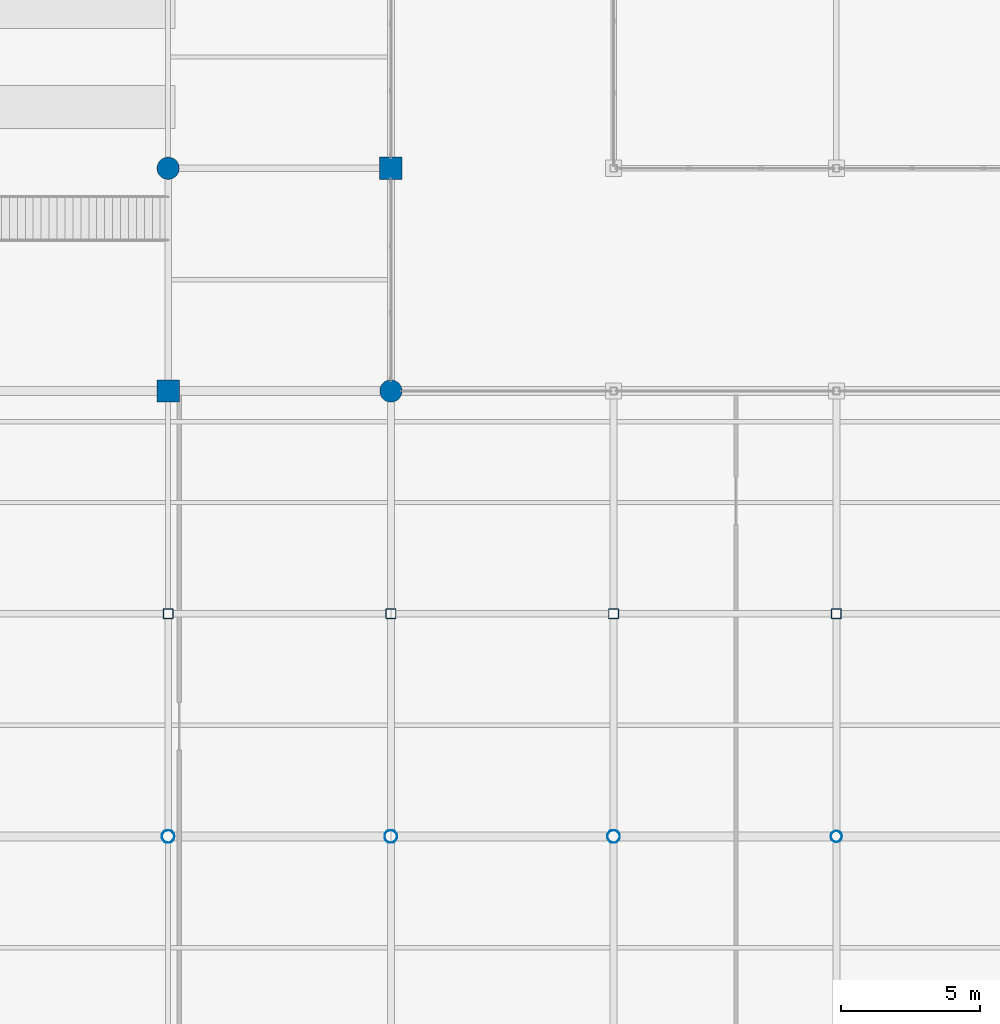
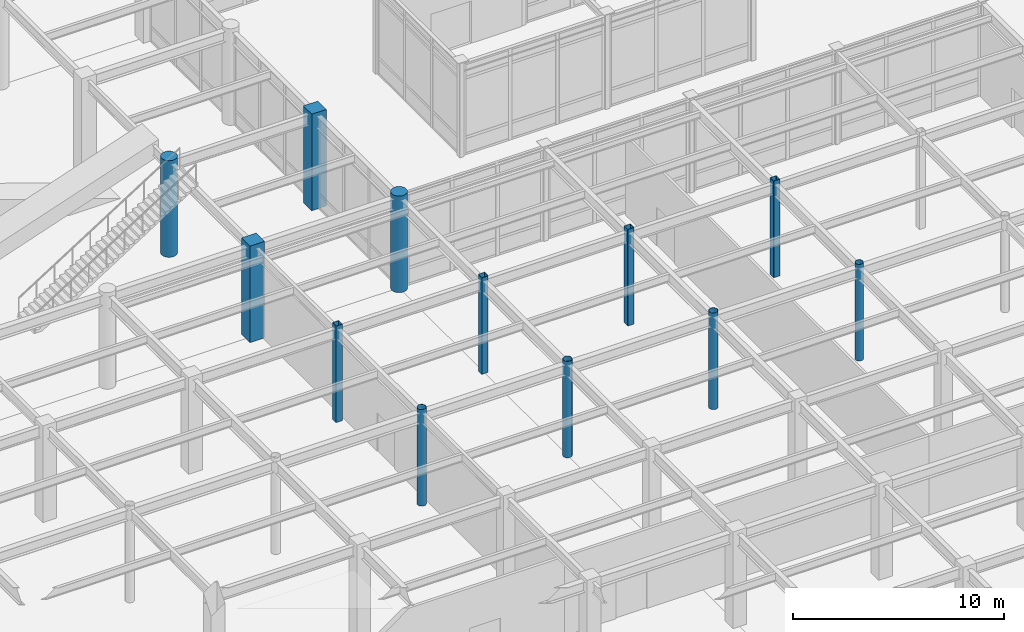
# One storey, part 11 of 128: 12 columns.
"""IFC4 building model written with IfcOpenShell, lengths in metres."""

from ifc_helpers import new_model, si_unit, direction, frame, origin, origin_2d, place, context, subcontext, project, spatial, rectangle, hollow_rectangle, circle, hollow_circle, extrude, material, material_profile, profile_set, type_object, element, save


model = new_model("IFC4")

# Units and contexts
model_context = context("Model", 3, precision=1e-05, world=origin(), true_north=direction((0.0, 1.0)))
body_context = subcontext(model_context, "Body", "Model", "MODEL_VIEW")
ifc_project = project(units=[si_unit("LENGTHUNIT", "METRE"), si_unit("AREAUNIT", "SQUARE_METRE"), si_unit("VOLUMEUNIT", "CUBIC_METRE"), si_unit("PLANEANGLEUNIT", "RADIAN"), si_unit("MASSUNIT", "GRAM", prefix="KILO")], contexts=[model_context])

# Site, building, storey
site_placement = place(None, origin())
site = spatial("IfcSite", under=ifc_project, at=site_placement, CompositionType="ELEMENT")
building_placement = place(site_placement, origin())
building = spatial("IfcBuilding", under=site, at=building_placement, Name="Solmirada Galleria", CompositionType="ELEMENT")
storey_placement = place(building_placement, origin())
storey = spatial("IfcBuildingStorey", under=building, at=storey_placement, Name="L00", CompositionType="ELEMENT", Elevation=0.0)

# Columns
ifc_material_1 = material(Name="Steel S355 / ASTM A500 Grade C", Category="steel")
ifc_material_profile_1 = material_profile(ifc_material_1, hollow_circle(Radius=0.202880859375, WallThickness=0.01171875, at=origin_2d()), Name="HSS16.000X0.500")
ifc_profile_set_1 = profile_set([ifc_material_profile_1], Name="Steel S355 / ASTM A500 Grade C")
column_type_1 = type_object("IfcColumnType", Name="COL-CHS16", PredefinedType="COLUMN", material=ifc_profile_set_1)
column_placement = place(storey_placement, frame((128.0, 32.0, 0.0), z_axis=(0.0, 0.0, 1.0), x_axis=(1.0, 0.0, 0.0)))
element("IfcColumn", 1, at=column_placement, inside=storey, type_object=column_type_1, Name="Structural column L00-1035", PredefinedType="COLUMN", context=body_context, shape_type="SweptSolid", body=[
    extrude(hollow_circle(Radius=0.202880859375, WallThickness=0.01171875, at=origin_2d()), origin(), (0.0, 0.0, 1.0), 5.60009765625),
])
ifc_material_profile_2 = material_profile(ifc_material_1, hollow_circle(Radius=0.228515625, WallThickness=0.01171875, at=origin_2d()), Name="HSS18.000X0.500")
ifc_profile_set_2 = profile_set([ifc_material_profile_2], Name="Steel S355 / ASTM A500 Grade C")
column_type_2 = type_object("IfcColumnType", Name="COL-CHS18", PredefinedType="COLUMN", material=ifc_profile_set_2)
for number, where, z_axis, x_axis, name in (
    (2, (104.0, 32.0, 0.0), (0.0, 0.0, 1.0), (1.0, 0.0, 0.0), "Structural column L00-0724"),
    (3, (112.0, 32.0, 0.0), (0.0, 0.0, 1.0), (1.0, 0.0, 0.0), "Structural column L00-0835"),
    (4, (120.0, 32.0, 0.0), (0.0, 0.0, 1.0), (1.0, 0.0, 0.0), "Structural column L00-0952"),
):
    element("IfcColumn", number, at=place(storey_placement, frame(where, z_axis=z_axis, x_axis=x_axis)), inside=storey, type_object=column_type_2, Name=name, PredefinedType="COLUMN", context=body_context, shape_type="SweptSolid", body=[
        extrude(hollow_circle(Radius=0.228515625, WallThickness=0.01171875, at=origin_2d()), origin(), (0.0, 0.0, 1.0), 5.60009765625),
    ])
ifc_material_2 = material(Name="Concrete C40/50", Category="concrete")
ifc_material_profile_3 = material_profile(ifc_material_2, circle(Radius=0.39990234375, at=origin_2d()), Name="RCCOL800")
ifc_profile_set_3 = profile_set([ifc_material_profile_3], Name="Concrete C40/50")
column_type_3 = type_object("IfcColumnType", Name="COL-CIR800", PredefinedType="COLUMN", material=ifc_profile_set_3)
for number, where, z_axis, x_axis, name in (
    (5, (104.0, 56.0, 0.0), (0.0, 0.0, 1.0), (1.0, 0.0, 0.0), "Structural column L00-0743"),
    (6, (112.0, 48.0, 0.0), (0.0, 0.0, 1.0), (1.0, 0.0, 0.0), "Structural column L00-0846"),
):
    element("IfcColumn", number, at=place(storey_placement, frame(where, z_axis=z_axis, x_axis=x_axis)), inside=storey, type_object=column_type_3, Name=name, PredefinedType="COLUMN", context=body_context, shape_type="SweptSolid", body=[
        extrude(circle(Radius=0.39990234375, at=origin_2d()), origin(), (0.0, 0.0, 1.0), 5.60009765625),
    ])
ifc_material_profile_4 = material_profile(ifc_material_1, hollow_rectangle(XDim=0.35595703125, YDim=0.35595703125, WallThickness=0.01171875, InnerFilletRadius=0.01171875, OuterFilletRadius=0.023681640625, at=origin_2d()), Name="HSS14X14X1/2")
ifc_profile_set_4 = profile_set([ifc_material_profile_4], Name="Steel S355 / ASTM A500 Grade C")
column_type_4 = type_object("IfcColumnType", Name="COL-HSS14", PredefinedType="COLUMN", material=ifc_profile_set_4)
for number, where, z_axis, x_axis, name in (
    (7, (104.0, 40.0, 0.0), (0.0, 0.0, 1.0), (1.0, 0.0, 0.0), "Structural column L00-0730"),
    (8, (112.0, 40.0, 0.0), (0.0, 0.0, 1.0), (1.0, 0.0, 0.0), "Structural column L00-0842"),
    (9, (120.0, 40.0, 0.0), (0.0, 0.0, 1.0), (1.0, 0.0, 0.0), "Structural column L00-0959"),
    (10, (128.0, 40.0, 0.0), (0.0, 0.0, 1.0), (1.0, 0.0, 0.0), "Structural column L00-1042"),
):
    element("IfcColumn", number, at=place(storey_placement, frame(where, z_axis=z_axis, x_axis=x_axis)), inside=storey, type_object=column_type_4, Name=name, PredefinedType="COLUMN", context=body_context, shape_type="SweptSolid", body=[
        extrude(hollow_rectangle(XDim=0.35595703125, YDim=0.35595703125, WallThickness=0.01171875, InnerFilletRadius=0.01171875, OuterFilletRadius=0.023681640625, at=origin_2d()), origin(), (0.0, 0.0, 1.0), 5.60009765625),
    ])
ifc_material_profile_5 = material_profile(ifc_material_2, rectangle(XDim=0.800048828125, YDim=0.800048828125, at=origin_2d()), Name="RC800X800")
ifc_profile_set_5 = profile_set([ifc_material_profile_5], Name="Concrete C40/50")
column_type_5 = type_object("IfcColumnType", Name="COL-RC800", PredefinedType="COLUMN", material=ifc_profile_set_5)
for number, where, z_axis, x_axis, name in (
    (11, (104.0, 48.0, 0.0), (0.0, 0.0, 1.0), (1.0, 0.0, 0.0), "Structural column L00-0734"),
    (12, (112.0, 56.0, 0.0), (0.0, 0.0, 1.0), (1.0, 0.0, 0.0), "Structural column L00-0855"),
):
    element("IfcColumn", number, at=place(storey_placement, frame(where, z_axis=z_axis, x_axis=x_axis)), inside=storey, type_object=column_type_5, Name=name, PredefinedType="COLUMN", context=body_context, shape_type="SweptSolid", body=[
        extrude(rectangle(XDim=0.800048828125, YDim=0.800048828125, at=origin_2d()), origin(), (0.0, 0.0, 1.0), 5.60009765625),
    ])

save(model, "model.ifc")
